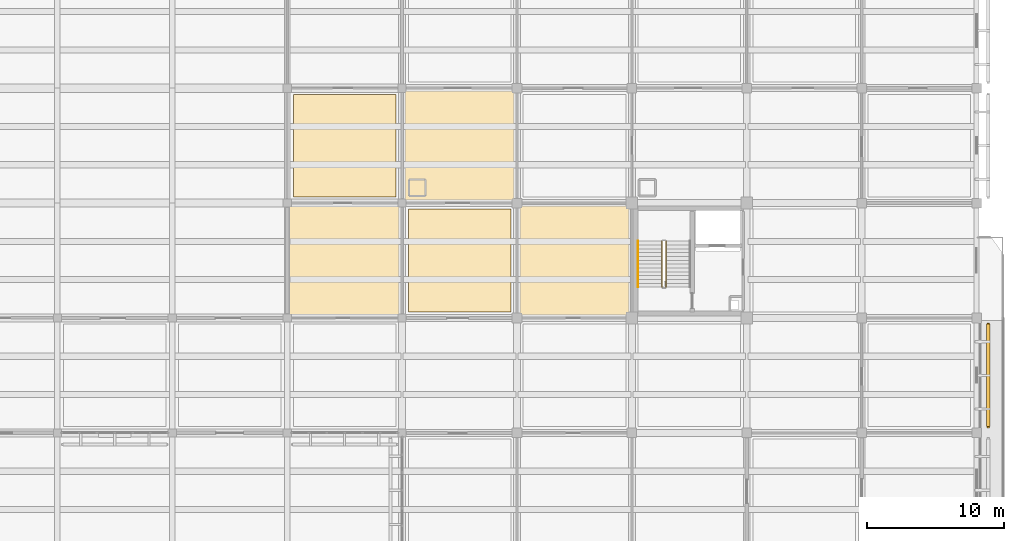
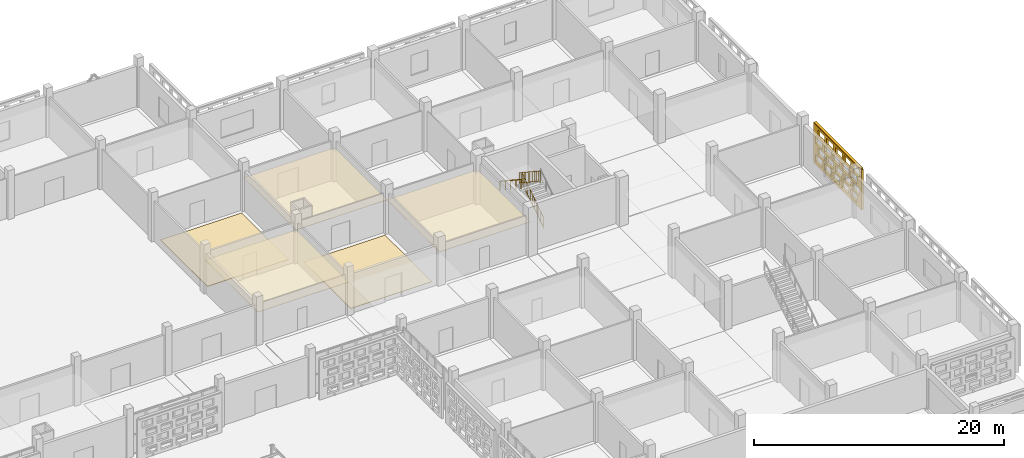
# One storey, part 125 of 129: 6 coverings, 3 railings, 1 shading device, 20 openings.
"""IFC4 building model written with IfcOpenShell, lengths in metres."""

from ifc_helpers import new_model, si_unit, direction, frame, frame_2d, origin, origin_2d, place, context, subcontext, project, spatial, rectangle, circle, extrude, material, layer, layer_set, type_object, element, save


model = new_model("IFC4")

# Units and contexts
model_context = context("Model", 3, precision=1e-05, world=origin(), true_north=direction((0.0, 1.0)))
body_context = subcontext(model_context, "Body", "Model", "MODEL_VIEW")
ifc_project = project(units=[si_unit("LENGTHUNIT", "METRE"), si_unit("AREAUNIT", "SQUARE_METRE"), si_unit("VOLUMEUNIT", "CUBIC_METRE"), si_unit("PLANEANGLEUNIT", "RADIAN"), si_unit("MASSUNIT", "GRAM", prefix="KILO")], contexts=[model_context])

# Site, building, storey
site_placement = place(None, origin())
site = spatial("IfcSite", under=ifc_project, at=site_placement, CompositionType="ELEMENT")
building_placement = place(site_placement, origin())
building = spatial("IfcBuilding", under=site, at=building_placement, Name="Varnapada Polytechnic", CompositionType="ELEMENT")
storey_placement = place(building_placement, origin())
storey = spatial("IfcBuildingStorey", under=building, at=storey_placement, Name="L00", CompositionType="ELEMENT", Elevation=0.0)

# Coverings
ifc_material_1 = material(Name="End-Grain Timber Studio Block Flooring", Category="wood")
ifc_layer_1 = layer(ifc_material_1, 0.054931640625)
ifc_layer_set_1 = layer_set([ifc_layer_1], Name="End-Grain Timber Studio Block Flooring")
covering_type_1 = type_object("IfcCoveringType", Name="Floor Finish FLR-04", PredefinedType="FLOORING", material=ifc_layer_set_1)
covering_1_placement = place(storey_placement, frame((130.199951171875, 105.0, 0.0), z_axis=(0.0, 0.0, 1.0), x_axis=(1.0, 0.0, 0.0)))
element("IfcCovering", 1, at=covering_1_placement, inside=storey, type_object=covering_type_1, Name="L00 floor finish panel (16,13)", PredefinedType="FLOORING", context=body_context, shape_type="SweptSolid", body=[
    extrude(rectangle(XDim=7.5, YDim=7.5, at=origin_2d()), origin(), (0.0, 0.0, 1.0), 0.054931640625),
])
ifc_material_2 = material(Name="Acoustic Rubber Seminar Flooring")
ifc_layer_2 = layer(ifc_material_2, 0.0400390625)
ifc_layer_set_2 = layer_set([ifc_layer_2], Name="Acoustic Rubber Seminar Flooring")
covering_type_2 = type_object("IfcCoveringType", Name="Floor Finish FLR-06", PredefinedType="FLOORING", material=ifc_layer_set_2)
covering_2_placement = place(storey_placement, frame((138.60009765625, 96.60009765625, 0.0), z_axis=(0.0, 0.0, 1.0), x_axis=(1.0, 0.0, 0.0)))
element("IfcCovering", 2, at=covering_2_placement, inside=storey, type_object=covering_type_2, Name="L00 floor finish panel (17,12)", PredefinedType="FLOORING", context=body_context, shape_type="SweptSolid", body=[
    extrude(rectangle(XDim=7.5, YDim=7.5, at=origin_2d()), origin(), (0.0, 0.0, 1.0), 0.0400390625),
])

# Railings
ifc_material_3 = material(Name="Brushed Stainless Steel 316", Category="steel")
railing_type_1 = type_object("IfcRailingType", Name="Stair Wall Handrail SHR-01", PredefinedType="HANDRAIL", material=ifc_material_3)
railing_1_placement = place(storey_placement, frame((151.64990234375, 98.010009765625, 2.584716796875)))
element("IfcRailing", 3, at=railing_1_placement, inside=storey, type_object=railing_type_1, Name="L00 ST-5 stair handrail 2", PredefinedType="HANDRAIL", context=body_context, shape_type="SweptSolid", body=[
    extrude(circle(Radius=0.02392578125, at=origin_2d()), frame((0.0, 0.0, 0.8759765625), z_axis=(0.0, -0.834876476806, 0.550437342915), x_axis=(1.0, 0.0, 0.0)), (0.0, 0.0, 1.0), 4.024658203125),
    extrude(circle(Radius=0.02099609375, at=origin_2d()), origin(), (0.0, 0.0, 1.0), 0.851806640625),
    extrude(circle(Radius=0.02099609375, at=origin_2d()), frame((0.0, -0.840087890625, 0.5537109375)), (0.0, 0.0, 1.0), 0.851806640625),
    extrude(circle(Radius=0.02099609375, at=origin_2d()), frame((0.0, -1.68017578125, 1.107666015625)), (0.0, 0.0, 1.0), 0.851806640625),
    extrude(circle(Radius=0.02099609375, at=origin_2d()), frame((0.0, -2.52001953125, 1.66162109375)), (0.0, 0.0, 1.0), 0.851806640625),
    extrude(circle(Radius=0.02099609375, at=origin_2d()), frame((0.0, -3.360107421875, 2.21533203125)), (0.0, 0.0, 1.0), 0.851806640625),
])
railing_type_2 = type_object("IfcRailingType", Name="Stair Well Guard Rail SGR-01", PredefinedType="BALUSTRADE", material=ifc_material_3)
railing_2_placement = place(storey_placement, frame((153.699951171875, 94.64990234375, 0.1845703125)))
element("IfcRailing", 4, at=railing_2_placement, inside=storey, type_object=railing_type_2, Name="L00 ST-5 stair guard 1", PredefinedType="BALUSTRADE", context=body_context, shape_type="SweptSolid", body=[
    extrude(circle(Radius=0.02392578125, at=origin_2d()), frame((0.0, 0.0, 1.09619140625), z_axis=(0.0, 0.834876476806, 0.550437342915), x_axis=(-1.0, 0.0, 0.0)), (0.0, 0.0, 1.0), 4.024658203125),
    extrude(circle(Radius=0.02392578125, at=origin_2d()), frame((0.0, 0.0, 0.10009765625), z_axis=(0.0, 0.834876476806, 0.550437342915), x_axis=(-1.0, 0.0, 0.0)), (0.0, 0.0, 1.0), 4.024658203125),
    extrude(circle(Radius=0.02099609375, at=origin_2d()), origin(), (0.0, 0.0, 1.0), 1.072021484375),
    extrude(circle(Radius=0.02099609375, at=origin_2d()), frame((0.0, 0.840087890625, 0.5537109375)), (0.0, 0.0, 1.0), 1.072021484375),
    extrude(circle(Radius=0.02099609375, at=origin_2d()), frame((0.0, 1.68017578125, 1.107666015625)), (0.0, 0.0, 1.0), 1.072021484375),
    extrude(circle(Radius=0.02099609375, at=origin_2d()), frame((0.0, 2.52001953125, 1.66162109375)), (0.0, 0.0, 1.0), 1.072021484375),
    extrude(circle(Radius=0.02099609375, at=origin_2d()), frame((0.0, 3.360107421875, 2.21533203125)), (0.0, 0.0, 1.0), 1.072021484375),
    extrude(circle(Radius=0.010009765625, at=origin_2d()), frame((0.0, 0.2099609375, 0.238525390625)), (0.0, 0.0, 1.0), 0.971923828125),
    extrude(circle(Radius=0.010009765625, at=origin_2d()), frame((0.0, 0.419921875, 0.376953125)), (0.0, 0.0, 1.0), 0.971923828125),
    extrude(circle(Radius=0.010009765625, at=origin_2d()), frame((0.0, 0.630126953125, 0.515380859375)), (0.0, 0.0, 1.0), 0.971923828125),
    extrude(circle(Radius=0.010009765625, at=origin_2d()), frame((0.0, 0.840087890625, 0.65380859375)), (0.0, 0.0, 1.0), 0.971923828125),
    extrude(circle(Radius=0.010009765625, at=origin_2d()), frame((0.0, 1.050048828125, 0.79248046875)), (0.0, 0.0, 1.0), 0.971923828125),
    extrude(circle(Radius=0.010009765625, at=origin_2d()), frame((0.0, 1.260009765625, 0.930908203125)), (0.0, 0.0, 1.0), 0.971923828125),
    extrude(circle(Radius=0.010009765625, at=origin_2d()), frame((0.0, 1.469970703125, 1.0693359375)), (0.0, 0.0, 1.0), 0.971923828125),
    extrude(circle(Radius=0.010009765625, at=origin_2d()), frame((0.0, 1.68017578125, 1.207763671875)), (0.0, 0.0, 1.0), 0.971923828125),
    extrude(circle(Radius=0.010009765625, at=origin_2d()), frame((0.0, 1.89013671875, 1.34619140625)), (0.0, 0.0, 1.0), 0.971923828125),
    extrude(circle(Radius=0.010009765625, at=origin_2d()), frame((0.0, 2.10009765625, 1.484619140625)), (0.0, 0.0, 1.0), 0.971923828125),
    extrude(circle(Radius=0.010009765625, at=origin_2d()), frame((0.0, 2.31005859375, 1.623046875)), (0.0, 0.0, 1.0), 0.971923828125),
    extrude(circle(Radius=0.010009765625, at=origin_2d()), frame((0.0, 2.52001953125, 1.76171875)), (0.0, 0.0, 1.0), 0.971923828125),
    extrude(circle(Radius=0.010009765625, at=origin_2d()), frame((0.0, 2.72998046875, 1.900146484375)), (0.0, 0.0, 1.0), 0.971923828125),
    extrude(circle(Radius=0.010009765625, at=origin_2d()), frame((0.0, 2.940185546875, 2.03857421875)), (0.0, 0.0, 1.0), 0.971923828125),
    extrude(circle(Radius=0.010009765625, at=origin_2d()), frame((0.0, 3.150146484375, 2.177001953125)), (0.0, 0.0, 1.0), 0.971923828125),
])
railing_3_placement = place(storey_placement, frame((153.39990234375, 98.010009765625, 2.584716796875)))
element("IfcRailing", 5, at=railing_3_placement, inside=storey, type_object=railing_type_2, Name="L00 ST-5 stair guard 3", PredefinedType="BALUSTRADE", context=body_context, shape_type="SweptSolid", body=[
    extrude(circle(Radius=0.02392578125, at=origin_2d()), frame((0.0, 0.0, 1.09619140625), z_axis=(0.0, -0.834876476806, 0.550437342915), x_axis=(1.0, 0.0, 0.0)), (0.0, 0.0, 1.0), 4.024658203125),
    extrude(circle(Radius=0.02392578125, at=origin_2d()), frame((0.0, 0.0, 0.10009765625), z_axis=(0.0, -0.834876476806, 0.550437342915), x_axis=(1.0, 0.0, 0.0)), (0.0, 0.0, 1.0), 4.024658203125),
    extrude(circle(Radius=0.02099609375, at=origin_2d()), origin(), (0.0, 0.0, 1.0), 1.072021484375),
    extrude(circle(Radius=0.02099609375, at=origin_2d()), frame((0.0, -0.840087890625, 0.5537109375)), (0.0, 0.0, 1.0), 1.072021484375),
    extrude(circle(Radius=0.02099609375, at=origin_2d()), frame((0.0, -1.68017578125, 1.107666015625)), (0.0, 0.0, 1.0), 1.072021484375),
    extrude(circle(Radius=0.02099609375, at=origin_2d()), frame((0.0, -2.52001953125, 1.66162109375)), (0.0, 0.0, 1.0), 1.072021484375),
    extrude(circle(Radius=0.02099609375, at=origin_2d()), frame((0.0, -3.360107421875, 2.21533203125)), (0.0, 0.0, 1.0), 1.072021484375),
    extrude(circle(Radius=0.010009765625, at=origin_2d()), frame((0.0, -0.2099609375, 0.238525390625)), (0.0, 0.0, 1.0), 0.971923828125),
    extrude(circle(Radius=0.010009765625, at=origin_2d()), frame((0.0, -0.419921875, 0.376953125)), (0.0, 0.0, 1.0), 0.971923828125),
    extrude(circle(Radius=0.010009765625, at=origin_2d()), frame((0.0, -0.630126953125, 0.515380859375)), (0.0, 0.0, 1.0), 0.971923828125),
    extrude(circle(Radius=0.010009765625, at=origin_2d()), frame((0.0, -0.840087890625, 0.65380859375)), (0.0, 0.0, 1.0), 0.971923828125),
    extrude(circle(Radius=0.010009765625, at=origin_2d()), frame((0.0, -1.050048828125, 0.79248046875)), (0.0, 0.0, 1.0), 0.971923828125),
    extrude(circle(Radius=0.010009765625, at=origin_2d()), frame((0.0, -1.260009765625, 0.930908203125)), (0.0, 0.0, 1.0), 0.971923828125),
    extrude(circle(Radius=0.010009765625, at=origin_2d()), frame((0.0, -1.469970703125, 1.0693359375)), (0.0, 0.0, 1.0), 0.971923828125),
    extrude(circle(Radius=0.010009765625, at=origin_2d()), frame((0.0, -1.68017578125, 1.207763671875)), (0.0, 0.0, 1.0), 0.971923828125),
    extrude(circle(Radius=0.010009765625, at=origin_2d()), frame((0.0, -1.89013671875, 1.34619140625)), (0.0, 0.0, 1.0), 0.971923828125),
    extrude(circle(Radius=0.010009765625, at=origin_2d()), frame((0.0, -2.10009765625, 1.484619140625)), (0.0, 0.0, 1.0), 0.971923828125),
    extrude(circle(Radius=0.010009765625, at=origin_2d()), frame((0.0, -2.31005859375, 1.623046875)), (0.0, 0.0, 1.0), 0.971923828125),
    extrude(circle(Radius=0.010009765625, at=origin_2d()), frame((0.0, -2.52001953125, 1.76171875)), (0.0, 0.0, 1.0), 0.971923828125),
    extrude(circle(Radius=0.010009765625, at=origin_2d()), frame((0.0, -2.72998046875, 1.900146484375)), (0.0, 0.0, 1.0), 0.971923828125),
    extrude(circle(Radius=0.010009765625, at=origin_2d()), frame((0.0, -2.940185546875, 2.03857421875)), (0.0, 0.0, 1.0), 0.971923828125),
    extrude(circle(Radius=0.010009765625, at=origin_2d()), frame((0.0, -3.150146484375, 2.177001953125)), (0.0, 0.0, 1.0), 0.971923828125),
])

# Coverings
ifc_material_4 = material(Name="Mineral Fibre Acoustic Ceiling Tile")
ifc_layer_3 = layer(ifc_material_4, 0.0400390625)
ifc_layer_set_3 = layer_set([ifc_layer_3], Name="Mineral Fibre Acoustic Ceiling Tile")
covering_type_3 = type_object("IfcCoveringType", Name="Suspended Ceiling CLG-01", PredefinedType="CEILING", material=ifc_layer_set_3)
covering_3_placement = place(storey_placement, frame((138.60009765625, 105.0, 3.030029296875), z_axis=(0.0, 0.0, 1.0), x_axis=(1.0, 0.0, 0.0)))
element("IfcCovering", 6, at=covering_3_placement, inside=storey, type_object=covering_type_3, Name="L00 suspended acoustic ceiling (17,13)", PredefinedType="CEILING", context=body_context, shape_type="SweptSolid", body=[
    extrude(rectangle(XDim=8.419921875, YDim=8.419921875, at=origin_2d()), origin(), (0.0, 0.0, 1.0), 0.0400390625),
])
ifc_material_5 = material(Name="Cleanroom Laboratory Metal Pan Ceiling")
ifc_layer_4 = layer(ifc_material_5, 0.034912109375)
ifc_layer_set_4 = layer_set([ifc_layer_4], Name="Cleanroom Laboratory Metal Pan Ceiling")
covering_type_4 = type_object("IfcCoveringType", Name="Suspended Ceiling CLG-06", PredefinedType="CEILING", material=ifc_layer_set_4)
for number, where, z_axis, x_axis, name in (
    (7, (130.199951171875, 96.60009765625, 3.03271484375), (0.0, 0.0, 1.0), (1.0, 0.0, 0.0), "L00 suspended acoustic ceiling (16,12)"),
    (8, (147.0, 96.60009765625, 3.03271484375), (0.0, 0.0, 1.0), (1.0, 0.0, 0.0), "L00 suspended acoustic ceiling (18,12)"),
):
    element("IfcCovering", number, at=place(storey_placement, frame(where, z_axis=z_axis, x_axis=x_axis)), inside=storey, type_object=covering_type_4, Name=name, PredefinedType="CEILING", context=body_context, shape_type="SweptSolid", body=[
        extrude(rectangle(XDim=8.419921875, YDim=8.419921875, at=origin_2d()), origin(), (0.0, 0.0, 1.0), 0.034912109375),
    ])

# Covering, openings
ifc_material_6 = material(Name="Earth-toned architectural terracotta screen block", Category="masonry")
ifc_layer_5 = layer(ifc_material_6, 0.1201171875)
ifc_layer_set_5 = layer_set([ifc_layer_5], Name="Earth-toned architectural terracotta screen block")
covering_type_5 = type_object("IfcCoveringType", Name="Terracotta Screen Cladding CLD-01", PredefinedType="CLADDING", material=ifc_layer_set_5)
covering_4_placement = place(storey_placement, frame((177.25, 92.050048828125, 0.0), z_axis=(0.0, 0.0, 1.0), x_axis=(0.0, -1.0, 0.0)))
covering_4 = element("IfcCovering", 9, at=covering_4_placement, inside=storey, type_object=covering_type_5, Name="L00 perforated terracotta block screen (109)", PredefinedType="CLADDING", context=body_context, shape_type="SweptSolid", body=[
    extrude(rectangle(XDim=7.699951171875, YDim=0.179931640625, at=frame_2d((3.85009765625, 0.0))), origin(), (0.0, 0.0, 1.0), 3.919921875),
])
opening_1_placement = place(covering_4_placement, frame((0.35009765625, 0.0, 0.313720703125)))
element("IfcOpeningElement", 10, at=opening_1_placement, cuts=covering_4, Name="Screen perforation TBS-L00-108.1", PredefinedType="OPENING", context=body_context, shape_type="SweptSolid", body=[
    extrude(rectangle(XDim=1.0400390625, YDim=0.679931640625, at=frame_2d((0.52001953125, 0.33984375))), frame((0.0, 0.099853515625, 0.0), z_axis=(0.0, -1.0, 0.0), x_axis=(1.0, 0.0, 0.0)), (0.0, 0.0, 1.0), 0.199951171875),
])
opening_2_placement = place(covering_4_placement, frame((1.75, 0.0, 0.313720703125)))
element("IfcOpeningElement", 11, at=opening_2_placement, cuts=covering_4, Name="Screen perforation TBS-L00-108.2", PredefinedType="OPENING", context=body_context, shape_type="SweptSolid", body=[
    extrude(rectangle(XDim=1.0400390625, YDim=0.679931640625, at=frame_2d((0.52001953125, 0.33984375))), frame((0.0, 0.099853515625, 0.0), z_axis=(0.0, -1.0, 0.0), x_axis=(1.0, 0.0, 0.0)), (0.0, 0.0, 1.0), 0.199951171875),
])
opening_3_placement = place(covering_4_placement, frame((3.14990234375, 0.0, 0.313720703125)))
element("IfcOpeningElement", 12, at=opening_3_placement, cuts=covering_4, Name="Screen perforation TBS-L00-108.3", PredefinedType="OPENING", context=body_context, shape_type="SweptSolid", body=[
    extrude(rectangle(XDim=1.0400390625, YDim=0.679931640625, at=frame_2d((0.52001953125, 0.33984375))), frame((0.0, 0.099853515625, 0.0), z_axis=(0.0, -1.0, 0.0), x_axis=(1.0, 0.0, 0.0)), (0.0, 0.0, 1.0), 0.199951171875),
])
opening_4_placement = place(covering_4_placement, frame((4.550048828125, 0.0, 0.313720703125)))
element("IfcOpeningElement", 13, at=opening_4_placement, cuts=covering_4, Name="Screen perforation TBS-L00-108.4", PredefinedType="OPENING", context=body_context, shape_type="SweptSolid", body=[
    extrude(rectangle(XDim=1.0400390625, YDim=0.679931640625, at=frame_2d((0.52001953125, 0.33984375))), frame((0.0, 0.099853515625, 0.0), z_axis=(0.0, -1.0, 0.0), x_axis=(1.0, 0.0, 0.0)), (0.0, 0.0, 1.0), 0.199951171875),
])
opening_5_placement = place(covering_4_placement, frame((5.949951171875, 0.0, 0.313720703125)))
element("IfcOpeningElement", 14, at=opening_5_placement, cuts=covering_4, Name="Screen perforation TBS-L00-108.5", PredefinedType="OPENING", context=body_context, shape_type="SweptSolid", body=[
    extrude(rectangle(XDim=1.0400390625, YDim=0.679931640625, at=frame_2d((0.52001953125, 0.33984375))), frame((0.0, 0.099853515625, 0.0), z_axis=(0.0, -1.0, 0.0), x_axis=(1.0, 0.0, 0.0)), (0.0, 0.0, 1.0), 0.199951171875),
])
opening_6_placement = place(covering_4_placement, frame((0.7099609375, 0.0, 1.195556640625)))
element("IfcOpeningElement", 15, at=opening_6_placement, cuts=covering_4, Name="Screen perforation TBS-L00-108.6", PredefinedType="OPENING", context=body_context, shape_type="SweptSolid", body=[
    extrude(rectangle(XDim=1.0400390625, YDim=0.679931640625, at=frame_2d((0.52001953125, 0.33984375))), frame((0.0, 0.099853515625, 0.0), z_axis=(0.0, -1.0, 0.0), x_axis=(1.0, 0.0, 0.0)), (0.0, 0.0, 1.0), 0.199951171875),
])
opening_7_placement = place(covering_4_placement, frame((2.110107421875, 0.0, 1.195556640625)))
element("IfcOpeningElement", 16, at=opening_7_placement, cuts=covering_4, Name="Screen perforation TBS-L00-108.7", PredefinedType="OPENING", context=body_context, shape_type="SweptSolid", body=[
    extrude(rectangle(XDim=1.0400390625, YDim=0.679931640625, at=frame_2d((0.52001953125, 0.33984375))), frame((0.0, 0.099853515625, 0.0), z_axis=(0.0, -1.0, 0.0), x_axis=(1.0, 0.0, 0.0)), (0.0, 0.0, 1.0), 0.199951171875),
])
opening_8_placement = place(covering_4_placement, frame((3.510009765625, 0.0, 1.195556640625)))
element("IfcOpeningElement", 17, at=opening_8_placement, cuts=covering_4, Name="Screen perforation TBS-L00-108.8", PredefinedType="OPENING", context=body_context, shape_type="SweptSolid", body=[
    extrude(rectangle(XDim=1.0400390625, YDim=0.679931640625, at=frame_2d((0.52001953125, 0.33984375))), frame((0.0, 0.099853515625, 0.0), z_axis=(0.0, -1.0, 0.0), x_axis=(1.0, 0.0, 0.0)), (0.0, 0.0, 1.0), 0.199951171875),
])
opening_9_placement = place(covering_4_placement, frame((4.909912109375, 0.0, 1.195556640625)))
element("IfcOpeningElement", 18, at=opening_9_placement, cuts=covering_4, Name="Screen perforation TBS-L00-108.9", PredefinedType="OPENING", context=body_context, shape_type="SweptSolid", body=[
    extrude(rectangle(XDim=1.0400390625, YDim=0.679931640625, at=frame_2d((0.52001953125, 0.33984375))), frame((0.0, 0.099853515625, 0.0), z_axis=(0.0, -1.0, 0.0), x_axis=(1.0, 0.0, 0.0)), (0.0, 0.0, 1.0), 0.199951171875),
])
opening_10_placement = place(covering_4_placement, frame((6.31005859375, 0.0, 1.195556640625)))
element("IfcOpeningElement", 19, at=opening_10_placement, cuts=covering_4, Name="Screen perforation TBS-L00-108.10", PredefinedType="OPENING", context=body_context, shape_type="SweptSolid", body=[
    extrude(rectangle(XDim=1.0400390625, YDim=0.679931640625, at=frame_2d((0.52001953125, 0.33984375))), frame((0.0, 0.099853515625, 0.0), z_axis=(0.0, -1.0, 0.0), x_axis=(1.0, 0.0, 0.0)), (0.0, 0.0, 1.0), 0.199951171875),
])
opening_11_placement = place(covering_4_placement, frame((0.35009765625, 0.0, 2.07763671875)))
element("IfcOpeningElement", 20, at=opening_11_placement, cuts=covering_4, Name="Screen perforation TBS-L00-108.11", PredefinedType="OPENING", context=body_context, shape_type="SweptSolid", body=[
    extrude(rectangle(XDim=1.0400390625, YDim=0.679931640625, at=frame_2d((0.52001953125, 0.33984375))), frame((0.0, 0.099853515625, 0.0), z_axis=(0.0, -1.0, 0.0), x_axis=(1.0, 0.0, 0.0)), (0.0, 0.0, 1.0), 0.199951171875),
])
opening_12_placement = place(covering_4_placement, frame((1.75, 0.0, 2.07763671875)))
element("IfcOpeningElement", 21, at=opening_12_placement, cuts=covering_4, Name="Screen perforation TBS-L00-108.12", PredefinedType="OPENING", context=body_context, shape_type="SweptSolid", body=[
    extrude(rectangle(XDim=1.0400390625, YDim=0.679931640625, at=frame_2d((0.52001953125, 0.33984375))), frame((0.0, 0.099853515625, 0.0), z_axis=(0.0, -1.0, 0.0), x_axis=(1.0, 0.0, 0.0)), (0.0, 0.0, 1.0), 0.199951171875),
])
opening_13_placement = place(covering_4_placement, frame((3.14990234375, 0.0, 2.07763671875)))
element("IfcOpeningElement", 22, at=opening_13_placement, cuts=covering_4, Name="Screen perforation TBS-L00-108.13", PredefinedType="OPENING", context=body_context, shape_type="SweptSolid", body=[
    extrude(rectangle(XDim=1.0400390625, YDim=0.679931640625, at=frame_2d((0.52001953125, 0.33984375))), frame((0.0, 0.099853515625, 0.0), z_axis=(0.0, -1.0, 0.0), x_axis=(1.0, 0.0, 0.0)), (0.0, 0.0, 1.0), 0.199951171875),
])
opening_14_placement = place(covering_4_placement, frame((4.550048828125, 0.0, 2.07763671875)))
element("IfcOpeningElement", 23, at=opening_14_placement, cuts=covering_4, Name="Screen perforation TBS-L00-108.14", PredefinedType="OPENING", context=body_context, shape_type="SweptSolid", body=[
    extrude(rectangle(XDim=1.0400390625, YDim=0.679931640625, at=frame_2d((0.52001953125, 0.33984375))), frame((0.0, 0.099853515625, 0.0), z_axis=(0.0, -1.0, 0.0), x_axis=(1.0, 0.0, 0.0)), (0.0, 0.0, 1.0), 0.199951171875),
])
opening_15_placement = place(covering_4_placement, frame((5.949951171875, 0.0, 2.07763671875)))
element("IfcOpeningElement", 24, at=opening_15_placement, cuts=covering_4, Name="Screen perforation TBS-L00-108.15", PredefinedType="OPENING", context=body_context, shape_type="SweptSolid", body=[
    extrude(rectangle(XDim=1.0400390625, YDim=0.679931640625, at=frame_2d((0.52001953125, 0.33984375))), frame((0.0, 0.099853515625, 0.0), z_axis=(0.0, -1.0, 0.0), x_axis=(1.0, 0.0, 0.0)), (0.0, 0.0, 1.0), 0.199951171875),
])
opening_16_placement = place(covering_4_placement, frame((0.7099609375, 0.0, 2.959716796875)))
element("IfcOpeningElement", 25, at=opening_16_placement, cuts=covering_4, Name="Screen perforation TBS-L00-108.16", PredefinedType="OPENING", context=body_context, shape_type="SweptSolid", body=[
    extrude(rectangle(XDim=1.0400390625, YDim=0.679931640625, at=frame_2d((0.52001953125, 0.33984375))), frame((0.0, 0.099853515625, 0.0), z_axis=(0.0, -1.0, 0.0), x_axis=(1.0, 0.0, 0.0)), (0.0, 0.0, 1.0), 0.199951171875),
])
opening_17_placement = place(covering_4_placement, frame((2.110107421875, 0.0, 2.959716796875)))
element("IfcOpeningElement", 26, at=opening_17_placement, cuts=covering_4, Name="Screen perforation TBS-L00-108.17", PredefinedType="OPENING", context=body_context, shape_type="SweptSolid", body=[
    extrude(rectangle(XDim=1.0400390625, YDim=0.679931640625, at=frame_2d((0.52001953125, 0.33984375))), frame((0.0, 0.099853515625, 0.0), z_axis=(0.0, -1.0, 0.0), x_axis=(1.0, 0.0, 0.0)), (0.0, 0.0, 1.0), 0.199951171875),
])
opening_18_placement = place(covering_4_placement, frame((3.510009765625, 0.0, 2.959716796875)))
element("IfcOpeningElement", 27, at=opening_18_placement, cuts=covering_4, Name="Screen perforation TBS-L00-108.18", PredefinedType="OPENING", context=body_context, shape_type="SweptSolid", body=[
    extrude(rectangle(XDim=1.0400390625, YDim=0.679931640625, at=frame_2d((0.52001953125, 0.33984375))), frame((0.0, 0.099853515625, 0.0), z_axis=(0.0, -1.0, 0.0), x_axis=(1.0, 0.0, 0.0)), (0.0, 0.0, 1.0), 0.199951171875),
])
opening_19_placement = place(covering_4_placement, frame((4.909912109375, 0.0, 2.959716796875)))
element("IfcOpeningElement", 28, at=opening_19_placement, cuts=covering_4, Name="Screen perforation TBS-L00-108.19", PredefinedType="OPENING", context=body_context, shape_type="SweptSolid", body=[
    extrude(rectangle(XDim=1.0400390625, YDim=0.679931640625, at=frame_2d((0.52001953125, 0.33984375))), frame((0.0, 0.099853515625, 0.0), z_axis=(0.0, -1.0, 0.0), x_axis=(1.0, 0.0, 0.0)), (0.0, 0.0, 1.0), 0.199951171875),
])
opening_20_placement = place(covering_4_placement, frame((6.31005859375, 0.0, 2.959716796875)))
element("IfcOpeningElement", 29, at=opening_20_placement, cuts=covering_4, Name="Screen perforation TBS-L00-108.20", PredefinedType="OPENING", context=body_context, shape_type="SweptSolid", body=[
    extrude(rectangle(XDim=1.0400390625, YDim=0.679931640625, at=frame_2d((0.52001953125, 0.33984375))), frame((0.0, 0.099853515625, 0.0), z_axis=(0.0, -1.0, 0.0), x_axis=(1.0, 0.0, 0.0)), (0.0, 0.0, 1.0), 0.199951171875),
])

# Shading device
ifc_layer_6 = layer(ifc_material_6, 0.179931640625)
ifc_layer_set_6 = layer_set([ifc_layer_6], Name="Earth-toned architectural terracotta screen block")
shading_device_type = type_object("IfcShadingDeviceType", Name="Terracotta Screen SCR-02", PredefinedType="USERDEFINED", material=ifc_layer_set_6)
shading_device_placement = place(storey_placement, frame((177.25, 88.199951171875, 3.909912109375), z_axis=(0.0, 0.0, 1.0), x_axis=(0.0, -1.0, 0.0)))
element("IfcShadingDevice", 30, at=shading_device_placement, inside=storey, type_object=shading_device_type, Name="L00 perforated terracotta screen hood 80", ObjectType="SCREEN", PredefinedType="USERDEFINED", context=body_context, shape_type="SweptSolid", body=[
    extrude(rectangle(XDim=7.5, YDim=0.239990234375, at=origin_2d()), origin(), (0.0, 0.0, 1.0), 0.10009765625),
])

save(model, "model.ifc")
